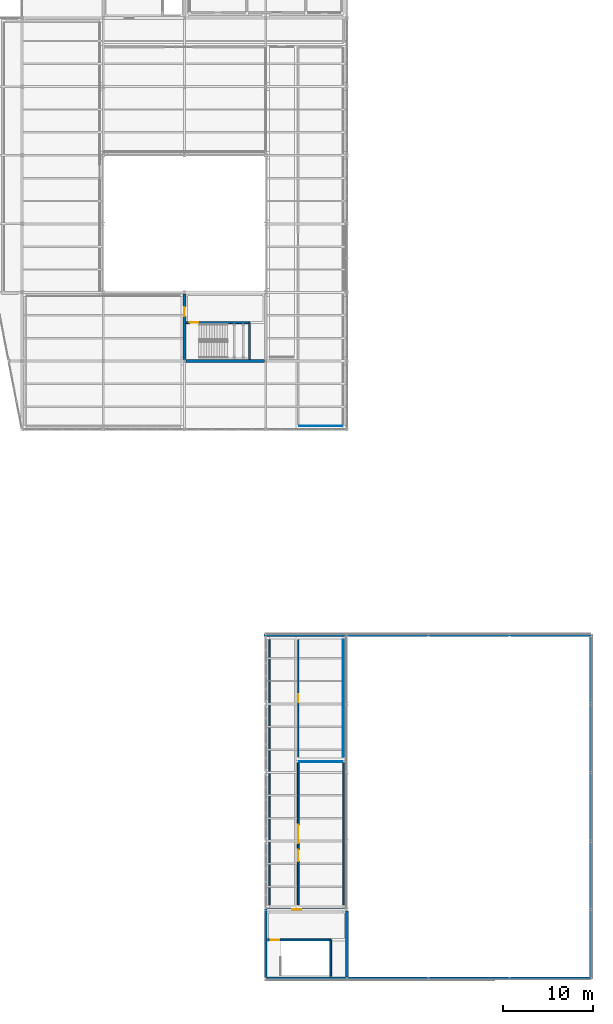
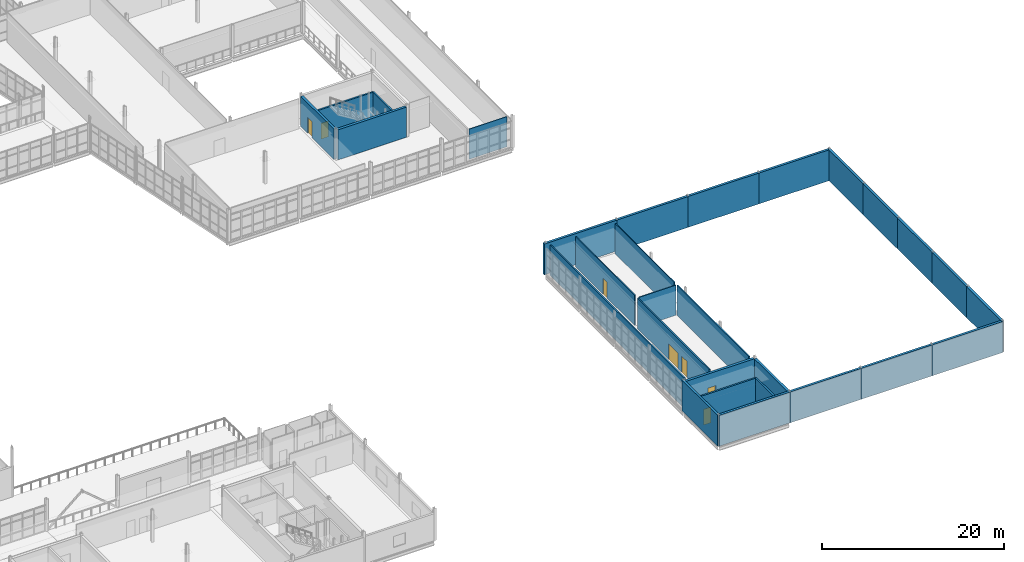
# One storey, part 158 of 166: 29 walls, 7 doors, 7 openings.
"""IFC4 building model written with IfcOpenShell, lengths in metres."""

from ifc_helpers import new_model, si_unit, direction, frame, frame_2d, origin, place, context, subcontext, project, spatial, rectangle, extrude, material, layer, layer_set, type_object, element, fill, save


model = new_model("IFC4")

# Units and contexts
model_context = context("Model", 3, precision=1e-05, world=origin(), true_north=direction((0.0, 1.0)))
body_context = subcontext(model_context, "Body", "Model", "MODEL_VIEW")
ifc_project = project(units=[si_unit("LENGTHUNIT", "METRE"), si_unit("AREAUNIT", "SQUARE_METRE"), si_unit("VOLUMEUNIT", "CUBIC_METRE"), si_unit("PLANEANGLEUNIT", "RADIAN"), si_unit("MASSUNIT", "GRAM", prefix="KILO")], contexts=[model_context])

# Site, building, storey
site_placement = place(None, origin())
site = spatial("IfcSite", under=ifc_project, at=site_placement, CompositionType="ELEMENT")
building_placement = place(site_placement, origin())
building = spatial("IfcBuilding", under=site, at=building_placement, Name="Caisbarro Railhouse Central Library", CompositionType="ELEMENT")
storey_placement = place(building_placement, frame((0.0, 0.0, 9.360107421875)))
storey = spatial("IfcBuildingStorey", under=building, at=storey_placement, Name="L02", CompositionType="ELEMENT", Elevation=9.360107421875)

# Wall
ifc_material_1 = material(Name="Concrete C40", Category="concrete")
ifc_layer_1 = layer(ifc_material_1, 0.320068359375, Name="Concrete C40")
ifc_layer_set_1 = layer_set([ifc_layer_1], Name="Concrete C40")
wall_type_1 = type_object("IfcWallType", Name="WAL-CW32", PredefinedType="SHEAR", material=ifc_layer_set_1)
wall_1_placement = place(storey_placement, frame((135.159912109375, 68.39990234375, 0.0), z_axis=(0.0, 0.0, 1.0), x_axis=(1.0, 0.0, 0.0)))
element("IfcWall", 1, at=wall_1_placement, inside=storey, type_object=wall_type_1, Name="CW32 RC core shear wall L02 #98", PredefinedType="SHEAR", context=body_context, shape_type="SweptSolid", body=[
    extrude(rectangle(XDim=8.68017578125, YDim=0.320068359375, at=frame_2d((4.340087890625, 0.0))), origin(), (0.0, 0.0, 1.0), 4.039794921875),
])

# Wall, opening, door
wall_2_placement = place(storey_placement, frame((135.0, 68.56005859375, 0.0), z_axis=(0.0, 0.0, 1.0), x_axis=(0.0, 1.0, 0.0)))
wall_2 = element("IfcWall", 2, at=wall_2_placement, inside=storey, type_object=wall_type_1, Name="CW32 RC core shear wall L02 #100", PredefinedType="SHEAR", context=body_context, shape_type="SweptSolid", body=[
    extrude(rectangle(XDim=7.280029296875, YDim=0.320068359375, at=frame_2d((3.64013671875, 0.0))), origin(), (0.0, 0.0, 1.0), 4.039794921875),
])
opening_1_placement = place(wall_2_placement, frame((4.800048828125, 0.0, 0.0)))
opening_1 = element("IfcOpeningElement", 3, at=opening_1_placement, cuts=wall_2, Name="Opening FD05", PredefinedType="OPENING", context=body_context, shape_type="SweptSolid", body=[
    extrude(rectangle(XDim=1.0, YDim=2.14990234375, at=frame_2d((0.5, 1.074951171875))), frame((0.0, 0.169921875, 0.0), z_axis=(0.0, -1.0, 0.0), x_axis=(1.0, 0.0, 0.0)), (0.0, 0.0, 1.0), 0.340087890625),
])
ifc_material_2 = material(Name="Fire-rated painted galvanised steel", Category="steel")
door_type_1 = type_object("IfcDoorType", Name="DR-FD05", OperationType="NOTDEFINED", PredefinedType="DOOR", material=ifc_material_2)
door_1_placement = place(opening_1_placement, origin())
door_1 = element("IfcDoor", 4, at=door_1_placement, inside=storey, type_object=door_type_1, Name="Core K7 Lobby Door FD05 L02-132", OperationType="SINGLE_SWING_LEFT", OverallHeight=2.14990234375, OverallWidth=1.0, PredefinedType="DOOR", context=body_context, shape_type="SweptSolid", body=[
    extrude(rectangle(XDim=1.0, YDim=2.14990234375, at=frame_2d((0.5, 1.074951171875))), frame((0.0, 0.02490234375, 0.0), z_axis=(0.0, -1.0, 0.0), x_axis=(1.0, 0.0, 0.0)), (0.0, 0.0, 1.0), 0.050048828125),
])
fill(opening_1, door_1)

wall_3_placement = place(storey_placement, frame((144.159912109375, 7.60009765625, 0.0), z_axis=(0.0, 0.0, 1.0), x_axis=(1.0, 0.0, 0.0)))
wall_3 = element("IfcWall", 5, at=wall_3_placement, inside=storey, type_object=wall_type_1, Name="CW32 RC core shear wall L02 #115", PredefinedType="SHEAR", context=body_context, shape_type="SweptSolid", body=[
    extrude(rectangle(XDim=8.68017578125, YDim=0.320068359375, at=frame_2d((4.340087890625, 0.0))), origin(), (0.0, 0.0, 1.0), 4.039794921875),
])
opening_2_placement = place(wall_3_placement, frame((2.800048828125, 0.0, 0.0)))
opening_2 = element("IfcOpeningElement", 6, at=opening_2_placement, cuts=wall_3, Name="Opening FD05", PredefinedType="OPENING", context=body_context, shape_type="SweptSolid", body=[
    extrude(rectangle(XDim=1.0, YDim=2.14990234375, at=frame_2d((0.5, 1.074951171875))), frame((0.0, 0.169921875, 0.0), z_axis=(0.0, -1.0, 0.0), x_axis=(1.0, 0.0, 0.0)), (0.0, 0.0, 1.0), 0.340087890625),
])
door_2_placement = place(opening_2_placement, origin())
door_2 = element("IfcDoor", 7, at=door_2_placement, inside=storey, type_object=door_type_1, Name="Core K9 L02 Lobby Door FD05 L02-146", OperationType="SINGLE_SWING_LEFT", OverallHeight=2.14990234375, OverallWidth=1.0, PredefinedType="DOOR", context=body_context, shape_type="SweptSolid", body=[
    extrude(rectangle(XDim=1.0, YDim=2.14990234375, at=frame_2d((0.5, 1.074951171875))), frame((0.0, 0.02490234375, 0.0), z_axis=(0.0, -1.0, 0.0), x_axis=(1.0, 0.0, 0.0)), (0.0, 0.0, 1.0), 0.050048828125),
])
fill(opening_2, door_2)

# Walls
wall_4_placement = place(storey_placement, frame((153.0, 0.159912109375, 0.0), z_axis=(0.0, 0.0, 1.0), x_axis=(0.0, 1.0, 0.0)))
element("IfcWall", 8, at=wall_4_placement, inside=storey, type_object=wall_type_1, Name="CW32 RC core shear wall L02 #116", PredefinedType="SHEAR", context=body_context, shape_type="SweptSolid", body=[
    extrude(rectangle(XDim=7.280029296875, YDim=0.320068359375, at=frame_2d((3.64013671875, 0.0))), origin(), (0.0, 0.0, 1.0), 4.039794921875),
])
ifc_layer_2 = layer(ifc_material_1, 0.280029296875, Name="Concrete C40")
ifc_layer_set_2 = layer_set([ifc_layer_2], Name="Concrete C40")
wall_type_2 = type_object("IfcWallType", Name="WAL-EW28", PredefinedType="SOLIDWALL", material=ifc_layer_set_2)
wall_5_placement = place(storey_placement, frame((144.0, 0.0, 0.0), z_axis=(0.0, 0.0, 1.0), x_axis=(0.0, 1.0, 0.0)))
element("IfcWall", 9, at=wall_5_placement, inside=storey, type_object=wall_type_2, Name="EW28 exterior wall L02 #186", PredefinedType="SOLIDWALL", context=body_context, shape_type="SweptSolid", body=[
    extrude(rectangle(XDim=7.81005859375, YDim=0.280029296875, at=frame_2d((3.905029296875, 0.0))), origin(), (0.0, 0.0, 1.0), 4.139892578125),
])
ifc_layer_3 = layer(ifc_material_1, 0.300048828125, Name="Concrete C40")
ifc_layer_set_3 = layer_set([ifc_layer_3], Name="Concrete C40")
wall_type_3 = type_object("IfcWallType", Name="WAL-EW30", PredefinedType="SOLIDWALL", material=ifc_layer_set_3)
wall_6_placement = place(storey_placement, frame((180.0, 0.0, 0.0), z_axis=(0.0, 0.0, 1.0), x_axis=(0.0, 1.0, 0.0)))
element("IfcWall", 10, at=wall_6_placement, inside=storey, type_object=wall_type_3, Name="EW30 exterior wall L02 #187", PredefinedType="SOLIDWALL", context=body_context, shape_type="SweptSolid", body=[
    extrude(rectangle(XDim=7.60009765625, YDim=0.300048828125, at=frame_2d((3.800048828125, 0.0))), origin(), (0.0, 0.0, 1.0), 4.139892578125),
])
wall_7_placement = place(storey_placement, frame((180.0, 7.60009765625, 0.0), z_axis=(0.0, 0.0, 1.0), x_axis=(0.0, 1.0, 0.0)))
element("IfcWall", 11, at=wall_7_placement, inside=storey, type_object=wall_type_3, Name="EW30 exterior wall L02 #188", PredefinedType="SOLIDWALL", context=body_context, shape_type="SweptSolid", body=[
    extrude(rectangle(XDim=7.599853515625, YDim=0.300048828125, at=frame_2d((3.7998046875, 0.0))), origin(), (0.0, 0.0, 1.0), 4.139892578125),
])
wall_8_placement = place(storey_placement, frame((180.0, 15.199951171875, 0.0), z_axis=(0.0, 0.0, 1.0), x_axis=(0.0, 1.0, 0.0)))
element("IfcWall", 12, at=wall_8_placement, inside=storey, type_object=wall_type_3, Name="EW30 exterior wall L02 #189", PredefinedType="SOLIDWALL", context=body_context, shape_type="SweptSolid", body=[
    extrude(rectangle(XDim=7.60009765625, YDim=0.300048828125, at=frame_2d((3.800048828125, 0.0))), origin(), (0.0, 0.0, 1.0), 4.139892578125),
])
wall_9_placement = place(storey_placement, frame((180.0, 22.800048828125, 0.0), z_axis=(0.0, 0.0, 1.0), x_axis=(0.0, 1.0, 0.0)))
element("IfcWall", 13, at=wall_9_placement, inside=storey, type_object=wall_type_3, Name="EW30 exterior wall L02 #190", PredefinedType="SOLIDWALL", context=body_context, shape_type="SweptSolid", body=[
    extrude(rectangle(XDim=7.599853515625, YDim=0.300048828125, at=frame_2d((3.7998046875, 0.0))), origin(), (0.0, 0.0, 1.0), 4.139892578125),
])
wall_10_placement = place(storey_placement, frame((180.0, 30.39990234375, 0.0), z_axis=(0.0, 0.0, 1.0), x_axis=(0.0, 1.0, 0.0)))
element("IfcWall", 14, at=wall_10_placement, inside=storey, type_object=wall_type_3, Name="EW30 exterior wall L02 #191", PredefinedType="SOLIDWALL", context=body_context, shape_type="SweptSolid", body=[
    extrude(rectangle(XDim=7.60009765625, YDim=0.300048828125, at=frame_2d((3.800048828125, 0.0))), origin(), (0.0, 0.0, 1.0), 4.139892578125),
])
wall_11_placement = place(storey_placement, frame((144.0, 0.0, 0.0), z_axis=(0.0, 0.0, 1.0), x_axis=(1.0, 0.0, 0.0)))
element("IfcWall", 15, at=wall_11_placement, inside=storey, type_object=wall_type_3, Name="EW30 exterior wall L02 #192", PredefinedType="SOLIDWALL", context=body_context, shape_type="SweptSolid", body=[
    extrude(rectangle(XDim=9.0, YDim=0.300048828125, at=frame_2d((4.5, 0.0))), origin(), (0.0, 0.0, 1.0), 4.139892578125),
])
wall_12_placement = place(storey_placement, frame((143.7900390625, 38.0, 0.0), z_axis=(0.0, 0.0, 1.0), x_axis=(1.0, 0.0, 0.0)))
element("IfcWall", 16, at=wall_12_placement, inside=storey, type_object=wall_type_3, Name="EW30 exterior wall L02 #193", PredefinedType="SOLIDWALL", context=body_context, shape_type="SweptSolid", body=[
    extrude(rectangle(XDim=9.2099609375, YDim=0.300048828125, at=frame_2d((4.60498046875, 0.0))), origin(), (0.0, 0.0, 1.0), 4.139892578125),
])
for number, where, z_axis, x_axis, name in (
    (17, (153.0, 0.0, 0.0), (0.0, 0.0, 1.0), (1.0, 0.0, 0.0), "EW30 exterior wall L02 #194"),
    (18, (153.0, 38.0, 0.0), (0.0, 0.0, 1.0), (1.0, 0.0, 0.0), "EW30 exterior wall L02 #195"),
    (19, (162.0, 0.0, 0.0), (0.0, 0.0, 1.0), (1.0, 0.0, 0.0), "EW30 exterior wall L02 #196"),
    (20, (162.0, 38.0, 0.0), (0.0, 0.0, 1.0), (1.0, 0.0, 0.0), "EW30 exterior wall L02 #197"),
    (21, (171.0, 0.0, 0.0), (0.0, 0.0, 1.0), (1.0, 0.0, 0.0), "EW30 exterior wall L02 #198"),
    (22, (171.0, 38.0, 0.0), (0.0, 0.0, 1.0), (1.0, 0.0, 0.0), "EW30 exterior wall L02 #199"),
):
    element("IfcWall", number, at=place(storey_placement, frame(where, z_axis=z_axis, x_axis=x_axis)), inside=storey, type_object=wall_type_3, Name=name, PredefinedType="SOLIDWALL", context=body_context, shape_type="SweptSolid", body=[
        extrude(rectangle(XDim=9.0, YDim=0.300048828125, at=frame_2d((4.5, 0.0))), origin(), (0.0, 0.0, 1.0), 4.139892578125),
    ])
ifc_material_3 = material(Name="Acoustic gypsum board on galvanised steel studs", Category="steel")
ifc_layer_4 = layer(ifc_material_3, 0.090087890625, Name="Acoustic gypsum board on galvanised steel studs")
ifc_layer_set_4 = layer_set([ifc_layer_4], Name="Acoustic gypsum board on galvanised steel studs")
wall_type_4 = type_object("IfcWallType", Name="WAL-IW09", PredefinedType="PARTITIONING", material=ifc_layer_set_4)
for number, where, z_axis, x_axis, name in (
    (23, (147.719970703125, 61.199951171875, 0.0), (0.0, 0.0, 1.0), (1.0, 0.0, 0.0), "IW09 partition wall L02 #519"),
    (24, (147.719970703125, 24.0, 0.0), (0.0, 0.0, 1.0), (1.0, 0.0, 0.0), "IW09 partition wall L02 #531"),
):
    element("IfcWall", number, at=place(storey_placement, frame(where, z_axis=z_axis, x_axis=x_axis)), inside=storey, type_object=wall_type_4, Name=name, PredefinedType="PARTITIONING", context=body_context, shape_type="SweptSolid", body=[
        extrude(rectangle(XDim=4.760009765625, YDim=0.090087890625, at=frame_2d((2.3798828125, 0.0))), origin(), (0.0, 0.0, 1.0), 4.039794921875),
    ])
ifc_layer_5 = layer(ifc_material_3, 0.110107421875, Name="Acoustic gypsum board on galvanised steel studs")
ifc_layer_set_5 = layer_set([ifc_layer_5], Name="Acoustic gypsum board on galvanised steel studs")
wall_type_5 = type_object("IfcWallType", Name="WAL-IW11", PredefinedType="PARTITIONING", material=ifc_layer_set_5)
wall_13_placement = place(storey_placement, frame((152.60009765625, 24.52001953125, 0.0), z_axis=(0.0, 0.0, 1.0), x_axis=(0.0, 1.0, 0.0)))
element("IfcWall", 25, at=wall_13_placement, inside=storey, type_object=wall_type_5, Name="IW11 partition wall L02 #534", PredefinedType="PARTITIONING", context=body_context, shape_type="SweptSolid", body=[
    extrude(rectangle(XDim=12.9599609375, YDim=0.110107421875, at=frame_2d((6.47998046875, 0.0))), origin(), (0.0, 0.0, 1.0), 4.039794921875),
])

# Wall, opening, door
ifc_layer_6 = layer(ifc_material_3, 0.1298828125, Name="Acoustic gypsum board on galvanised steel studs")
ifc_layer_set_6 = layer_set([ifc_layer_6], Name="Acoustic gypsum board on galvanised steel studs")
wall_type_6 = type_object("IfcWallType", Name="WAL-IW13", PredefinedType="PARTITIONING", material=ifc_layer_set_6)
wall_14_placement = place(storey_placement, frame((147.60009765625, 24.52001953125, 0.0), z_axis=(0.0, 0.0, 1.0), x_axis=(0.0, 1.0, 0.0)))
wall_14 = element("IfcWall", 26, at=wall_14_placement, inside=storey, type_object=wall_type_6, Name="IW13 partition wall L02 #533", PredefinedType="PARTITIONING", context=body_context, shape_type="SweptSolid", body=[
    extrude(rectangle(XDim=12.9599609375, YDim=0.1298828125, at=frame_2d((6.47998046875, 0.0))), origin(), (0.0, 0.0, 1.0), 4.039794921875),
])
opening_3_placement = place(wall_14_placement, frame((6.034912109375, 0.0, 0.0)))
opening_3 = element("IfcOpeningElement", 27, at=opening_3_placement, cuts=wall_14, Name="Opening ID25", PredefinedType="OPENING", context=body_context, shape_type="SweptSolid", body=[
    extrude(rectangle(XDim=0.889892578125, YDim=2.14990234375, at=frame_2d((0.44482421875, 1.074951171875))), frame((0.0, 0.074951171875, 0.0), z_axis=(0.0, -1.0, 0.0), x_axis=(1.0, 0.0, 0.0)), (0.0, 0.0, 1.0), 0.14990234375),
])
ifc_material_4 = material(Name="Solid-core tropical hardwood veneer", Category="wood")
door_type_2 = type_object("IfcDoorType", Name="DR-ID25", OperationType="NOTDEFINED", PredefinedType="DOOR", material=ifc_material_4)
door_3_placement = place(opening_3_placement, origin())
door_3 = element("IfcDoor", 28, at=door_3_placement, inside=storey, type_object=door_type_2, Name="Stage Lighting and Acoustic Control Room Door ID25 L02-299", OperationType="SINGLE_SWING_LEFT", OverallHeight=2.14990234375, OverallWidth=0.889892578125, PredefinedType="DOOR", context=body_context, shape_type="SweptSolid", body=[
    extrude(rectangle(XDim=0.889892578125, YDim=2.14990234375, at=frame_2d((0.44482421875, 1.074951171875))), frame((0.0, 0.02490234375, 0.0), z_axis=(0.0, -1.0, 0.0), x_axis=(1.0, 0.0, 0.0)), (0.0, 0.0, 1.0), 0.050048828125),
])
fill(opening_3, door_3)

# Wall
ifc_layer_7 = layer(ifc_material_3, 0.14990234375, Name="Acoustic gypsum board on galvanised steel studs")
ifc_layer_set_7 = layer_set([ifc_layer_7], Name="Acoustic gypsum board on galvanised steel studs")
wall_type_7 = type_object("IfcWallType", Name="WAL-IW15", PredefinedType="PARTITIONING", material=ifc_layer_set_7)
wall_15_placement = place(storey_placement, frame((152.60009765625, 8.1201171875, 0.0), z_axis=(0.0, 0.0, 1.0), x_axis=(0.0, 1.0, 0.0)))
element("IfcWall", 29, at=wall_15_placement, inside=storey, type_object=wall_type_7, Name="IW15 partition wall L02 #532", PredefinedType="PARTITIONING", context=body_context, shape_type="SweptSolid", body=[
    extrude(rectangle(XDim=15.759765625, YDim=0.14990234375, at=frame_2d((7.8798828125, 0.0))), origin(), (0.0, 0.0, 1.0), 4.039794921875),
])

# Wall, openings, doors
ifc_material_5 = material(Name="Plastered cellular concrete masonry", Category="masonry")
ifc_layer_8 = layer(ifc_material_5, 0.169921875, Name="Plastered cellular concrete masonry")
ifc_layer_set_8 = layer_set([ifc_layer_8], Name="Plastered cellular concrete masonry")
wall_type_8 = type_object("IfcWallType", Name="WAL-IW17", PredefinedType="PARTITIONING", material=ifc_layer_set_8)
wall_16_placement = place(storey_placement, frame((147.60009765625, 8.1201171875, 0.0), z_axis=(0.0, 0.0, 1.0), x_axis=(0.0, 1.0, 0.0)))
wall_16 = element("IfcWall", 30, at=wall_16_placement, inside=storey, type_object=wall_type_8, Name="IW17 partition wall L02 #530", PredefinedType="PARTITIONING", context=body_context, shape_type="SweptSolid", body=[
    extrude(rectangle(XDim=15.759765625, YDim=0.169921875, at=frame_2d((7.8798828125, 0.0))), origin(), (0.0, 0.0, 1.0), 4.039794921875),
])
opening_4_placement = place(wall_16_placement, frame((6.860107421875, 0.0, 0.0)))
opening_4 = element("IfcOpeningElement", 31, at=opening_4_placement, cuts=wall_16, Name="Opening ID24", PredefinedType="OPENING", context=body_context, shape_type="SweptSolid", body=[
    extrude(rectangle(XDim=2.0400390625, YDim=2.10009765625, at=frame_2d((1.02001953125, 1.050048828125))), frame((0.0, 0.094970703125, 0.0), z_axis=(0.0, -1.0, 0.0), x_axis=(1.0, 0.0, 0.0)), (0.0, 0.0, 1.0), 0.18994140625),
])
opening_5_placement = place(wall_16_placement, frame((4.85498046875, 0.0, 0.0)))
opening_5 = element("IfcOpeningElement", 32, at=opening_5_placement, cuts=wall_16, Name="Opening FD04", PredefinedType="OPENING", context=body_context, shape_type="SweptSolid", body=[
    extrude(rectangle(XDim=1.25, YDim=2.179931640625, at=frame_2d((0.625, 1.08984375))), frame((0.0, 0.094970703125, 0.0), z_axis=(0.0, -1.0, 0.0), x_axis=(1.0, 0.0, 0.0)), (0.0, 0.0, 1.0), 0.18994140625),
])
door_type_3 = type_object("IfcDoorType", Name="DR-FD04", OperationType="NOTDEFINED", PredefinedType="DOOR", material=ifc_material_2)
door_4_placement = place(opening_5_placement, origin())
door_4 = element("IfcDoor", 33, at=door_4_placement, inside=storey, type_object=door_type_3, Name="Auditorium Technical Corridor L02 Door FD04 L02-306", OperationType="SINGLE_SWING_RIGHT", OverallHeight=2.179931640625, OverallWidth=1.25, PredefinedType="DOOR", context=body_context, shape_type="SweptSolid", body=[
    extrude(rectangle(XDim=1.25, YDim=2.179931640625, at=frame_2d((0.625, 1.08984375))), frame((0.0, 0.02490234375, 0.0), z_axis=(0.0, -1.0, 0.0), x_axis=(1.0, 0.0, 0.0)), (0.0, 0.0, 1.0), 0.050048828125),
])
fill(opening_5, door_4)
door_type_4 = type_object("IfcDoorType", Name="DR-ID24", OperationType="NOTDEFINED", PredefinedType="DOOR", material=ifc_material_4)
door_5_placement = place(opening_4_placement, origin())
door_5 = element("IfcDoor", 34, at=door_5_placement, inside=storey, type_object=door_type_4, Name="Projection and Simultaneous-Interpretation Booth Door ID24 L02-298", OperationType="SINGLE_SWING_RIGHT", OverallHeight=2.10009765625, OverallWidth=2.0400390625, PredefinedType="DOOR", context=body_context, shape_type="SweptSolid", body=[
    extrude(rectangle(XDim=2.0400390625, YDim=2.10009765625, at=frame_2d((1.02001953125, 1.050048828125))), frame((0.0, 0.02490234375, 0.0), z_axis=(0.0, -1.0, 0.0), x_axis=(1.0, 0.0, 0.0)), (0.0, 0.0, 1.0), 0.050048828125),
])
fill(opening_4, door_5)

# Wall
wall_17_placement = place(storey_placement, frame((144.39990234375, 8.1201171875, 0.0), z_axis=(0.0, 0.0, 1.0), x_axis=(0.0, 1.0, 0.0)))
element("IfcWall", 35, at=wall_17_placement, inside=storey, type_object=wall_type_8, Name="IW17 partition wall L02 #541", PredefinedType="PARTITIONING", context=body_context, shape_type="SweptSolid", body=[
    extrude(rectangle(XDim=29.35986328125, YDim=0.169921875, at=frame_2d((14.679931640625, 0.0))), origin(), (0.0, 0.0, 1.0), 4.039794921875),
])

# Wall, opening, door
ifc_layer_9 = layer(ifc_material_1, 0.2099609375, Name="Concrete C40")
ifc_layer_set_9 = layer_set([ifc_layer_9], Name="Concrete C40")
wall_type_9 = type_object("IfcWallType", Name="WAL-SW21", PredefinedType="SOLIDWALL", material=ifc_layer_set_9)
wall_18_placement = place(storey_placement, frame((135.199951171875, 72.64990234375, 0.0), z_axis=(0.0, 0.0, 1.0), x_axis=(1.0, 0.0, 0.0)))
wall_18 = element("IfcWall", 36, at=wall_18_placement, inside=storey, type_object=wall_type_9, Name="SW21 core shaft wall L02 #155", PredefinedType="SOLIDWALL", context=body_context, shape_type="SweptSolid", body=[
    extrude(rectangle(XDim=7.0, YDim=0.2099609375, at=frame_2d((3.5, 0.0))), origin(), (0.0, 0.0, 1.0), 4.039794921875),
])
opening_6_placement = place(wall_18_placement, frame((0.35009765625, 0.0, 0.0)))
opening_6 = element("IfcOpeningElement", 37, at=opening_6_placement, cuts=wall_18, Name="Opening FD01", PredefinedType="OPENING", context=body_context, shape_type="SweptSolid", body=[
    extrude(rectangle(XDim=0.949951171875, YDim=2.1201171875, at=frame_2d((0.47509765625, 1.06005859375))), frame((0.0, 0.114990234375, 0.0), z_axis=(0.0, -1.0, 0.0), x_axis=(1.0, 0.0, 0.0)), (0.0, 0.0, 1.0), 0.22998046875),
])
door_type_5 = type_object("IfcDoorType", Name="DR-FD01", OperationType="NOTDEFINED", PredefinedType="DOOR", material=ifc_material_2)
door_6_placement = place(opening_6_placement, origin())
door_6 = element("IfcDoor", 38, at=door_6_placement, inside=storey, type_object=door_type_5, Name="Stair ST-07 Fire Door FD01 L02-131", OperationType="SINGLE_SWING_RIGHT", OverallHeight=2.1201171875, OverallWidth=0.949951171875, PredefinedType="DOOR", context=body_context, shape_type="SweptSolid", body=[
    extrude(rectangle(XDim=0.949951171875, YDim=2.1201171875, at=frame_2d((0.47509765625, 1.06005859375))), frame((0.0, 0.02490234375, 0.0), z_axis=(0.0, -1.0, 0.0), x_axis=(1.0, 0.0, 0.0)), (0.0, 0.0, 1.0), 0.050048828125),
])
fill(opening_6, door_6)

# Wall
wall_19_placement = place(storey_placement, frame((142.199951171875, 68.60009765625, 0.0), z_axis=(0.0, 0.0, 1.0), x_axis=(0.0, 1.0, 0.0)))
element("IfcWall", 39, at=wall_19_placement, inside=storey, type_object=wall_type_9, Name="SW21 core shaft wall L02 #156", PredefinedType="SOLIDWALL", context=body_context, shape_type="SweptSolid", body=[
    extrude(rectangle(XDim=4.0498046875, YDim=0.2099609375, at=frame_2d((2.02490234375, 0.0))), origin(), (0.0, 0.0, 1.0), 4.039794921875),
])

# Wall, opening, door
wall_20_placement = place(storey_placement, frame((144.199951171875, 4.25, 0.0), z_axis=(0.0, 0.0, 1.0), x_axis=(1.0, 0.0, 0.0)))
wall_20 = element("IfcWall", 40, at=wall_20_placement, inside=storey, type_object=wall_type_9, Name="SW21 core shaft wall L02 #169", PredefinedType="SOLIDWALL", context=body_context, shape_type="SweptSolid", body=[
    extrude(rectangle(XDim=7.0, YDim=0.2099609375, at=frame_2d((3.5, 0.0))), origin(), (0.0, 0.0, 1.0), 4.039794921875),
])
opening_7_placement = place(wall_20_placement, frame((0.35009765625, 0.0, 0.0)))
opening_7 = element("IfcOpeningElement", 41, at=opening_7_placement, cuts=wall_20, Name="Opening FD01", PredefinedType="OPENING", context=body_context, shape_type="SweptSolid", body=[
    extrude(rectangle(XDim=0.949951171875, YDim=2.1201171875, at=frame_2d((0.47509765625, 1.06005859375))), frame((0.0, 0.114990234375, 0.0), z_axis=(0.0, -1.0, 0.0), x_axis=(1.0, 0.0, 0.0)), (0.0, 0.0, 1.0), 0.22998046875),
])
door_7_placement = place(opening_7_placement, origin())
door_7 = element("IfcDoor", 42, at=door_7_placement, inside=storey, type_object=door_type_5, Name="Stair ST-09 Fire Door FD01 L02-145", OperationType="SINGLE_SWING_RIGHT", OverallHeight=2.1201171875, OverallWidth=0.949951171875, PredefinedType="DOOR", context=body_context, shape_type="SweptSolid", body=[
    extrude(rectangle(XDim=0.949951171875, YDim=2.1201171875, at=frame_2d((0.47509765625, 1.06005859375))), frame((0.0, 0.02490234375, 0.0), z_axis=(0.0, -1.0, 0.0), x_axis=(1.0, 0.0, 0.0)), (0.0, 0.0, 1.0), 0.050048828125),
])
fill(opening_7, door_7)

# Wall
wall_21_placement = place(storey_placement, frame((151.199951171875, 0.199951171875, 0.0), z_axis=(0.0, 0.0, 1.0), x_axis=(0.0, 1.0, 0.0)))
element("IfcWall", 43, at=wall_21_placement, inside=storey, type_object=wall_type_9, Name="SW21 core shaft wall L02 #170", PredefinedType="SOLIDWALL", context=body_context, shape_type="SweptSolid", body=[
    extrude(rectangle(XDim=4.050048828125, YDim=0.2099609375, at=frame_2d((2.02490234375, 0.0))), origin(), (0.0, 0.0, 1.0), 4.039794921875),
])

save(model, "model.ifc")
